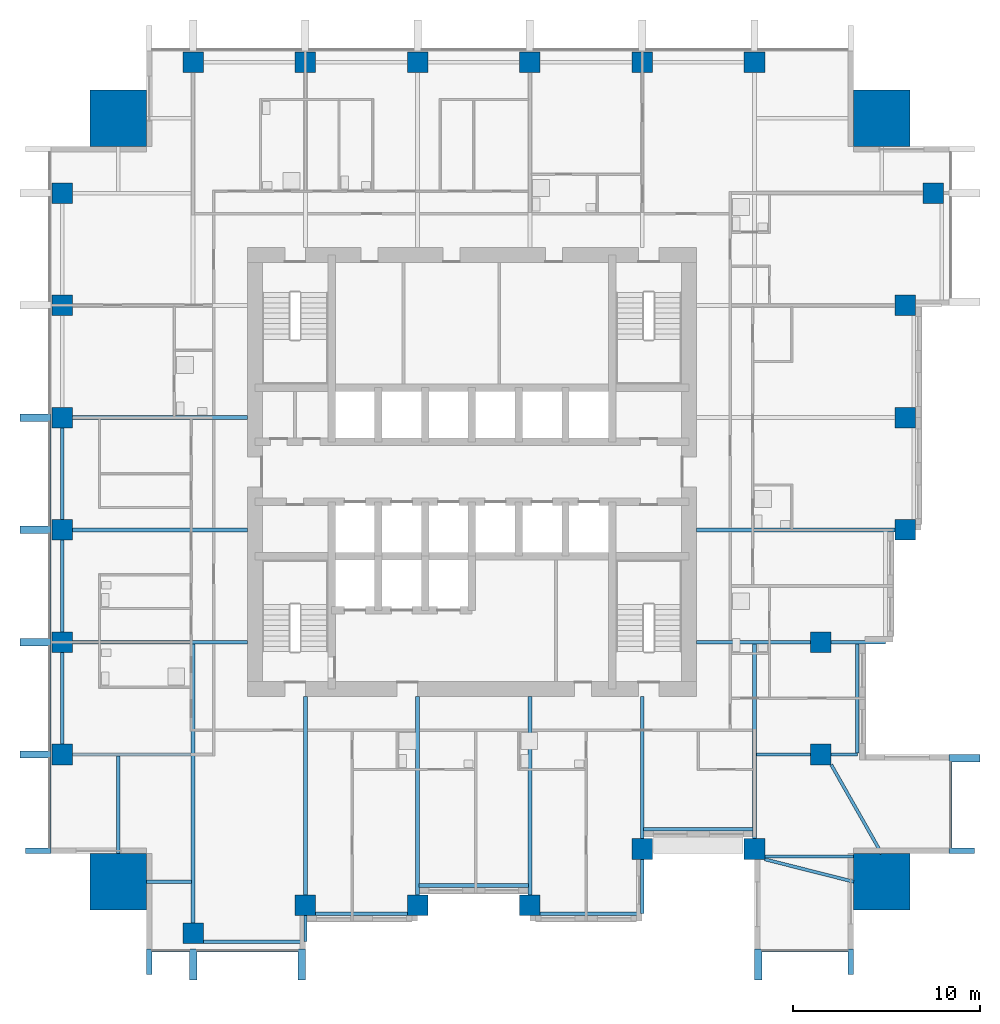
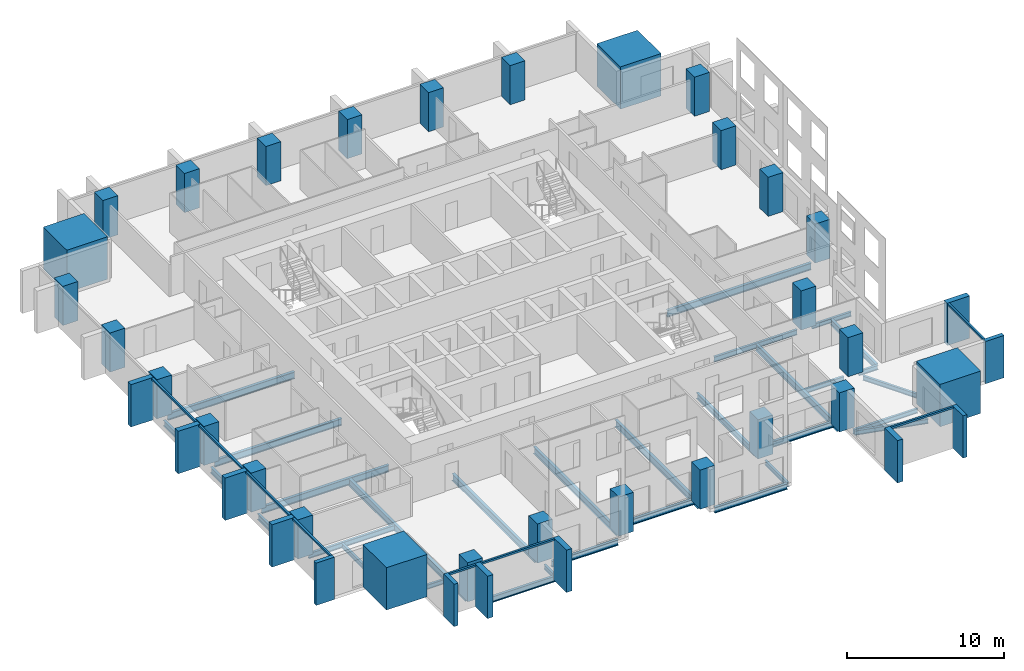
# One storey, part 1 of 11: 31 beams, 28 columns, 20 members, 4 elements without a shape of their own.
"""IFC4 building model written with IfcOpenShell, lengths in metres."""

from ifc_helpers import new_model, si_unit, direction, frame, origin, origin_2d, place, context, subcontext, project, spatial, rectangle, i_section, extrude, material, material_profile, profile_set, type_object, element, aggregate, save


model = new_model("IFC4")

# Units and contexts
model_context = context("Model", 3, precision=1e-05, world=origin(), true_north=direction((0.0, 1.0)))
body_context = subcontext(model_context, "Body", "Model", "MODEL_VIEW")
ifc_project = project(units=[si_unit("LENGTHUNIT", "METRE"), si_unit("AREAUNIT", "SQUARE_METRE"), si_unit("VOLUMEUNIT", "CUBIC_METRE"), si_unit("PLANEANGLEUNIT", "RADIAN"), si_unit("MASSUNIT", "GRAM", prefix="KILO")], contexts=[model_context])

# Site, building, storey
site_placement = place(None, origin())
site = spatial("IfcSite", under=ifc_project, at=site_placement, CompositionType="ELEMENT")
building_placement = place(site_placement, origin())
building = spatial("IfcBuilding", under=site, at=building_placement, Name="Amberfall Residences", CompositionType="ELEMENT")
storey_placement = place(building_placement, frame((0.0, 0.0, 115.0)))
storey = spatial("IfcBuildingStorey", under=building, at=storey_placement, Name="L31", CompositionType="ELEMENT", Elevation=115.0)

# Columns
ifc_material_1 = material(Name="Concrete C70", Category="concrete")
ifc_material_profile_1 = material_profile(ifc_material_1, rectangle(XDim=1.10009765625, YDim=1.10009765625, at=origin_2d()), Name="Column 1100 x 1100 C70")
ifc_profile_set_1 = profile_set([ifc_material_profile_1], Name="Concrete C70")
column_type_1 = type_object("IfcColumnType", Name="Column 1100 x 1100 C70", PredefinedType="COLUMN", material=ifc_profile_set_1)
for number, where, z_axis, x_axis, name in (
    (1, (59.60009765625, 20.85009765625, 0.0), (0.0, 0.0, 1.0), (1.0, 0.0, 0.0), "Column C2 L31 S1"),
    (2, (65.60009765625, 22.35009765625, 0.0), (0.0, 0.0, 1.0), (1.0, 0.0, 0.0), "Column C2 L31 S2"),
    (3, (71.60009765625, 22.35009765625, 0.0), (0.0, 0.0, 1.0), (1.0, 0.0, 0.0), "Column C2 L31 S3"),
    (4, (77.60009765625, 22.35009765625, 0.0), (0.0, 0.0, 1.0), (1.0, 0.0, 0.0), "Column C2 L31 S4"),
    (5, (83.60009765625, 25.35009765625, 0.0), (0.0, 0.0, 1.0), (1.0, 0.0, 0.0), "Column C2 L31 S5"),
    (6, (89.60009765625, 25.35009765625, 0.0), (0.0, 0.0, 1.0), (1.0, 0.0, 0.0), "Column C2 L31 S6"),
    (7, (93.14990234375, 30.39990234375, 0.0), (0.0, 0.0, 1.0), (1.0, 0.0, 0.0), "Column C2 L31 E1"),
    (8, (93.14990234375, 36.39990234375, 0.0), (0.0, 0.0, 1.0), (1.0, 0.0, 0.0), "Column C2 L31 E2"),
    (9, (97.64990234375, 42.39990234375, 0.0), (0.0, 0.0, 1.0), (1.0, 0.0, 0.0), "Column C2 L31 E3"),
    (10, (97.64990234375, 48.39990234375, 0.0), (0.0, 0.0, 1.0), (1.0, 0.0, 0.0), "Column C2 L31 E4"),
    (11, (97.64990234375, 54.39990234375, 0.0), (0.0, 0.0, 1.0), (1.0, 0.0, 0.0), "Column C2 L31 E5"),
    (12, (99.14990234375, 60.39990234375, 0.0), (0.0, 0.0, 1.0), (1.0, 0.0, 0.0), "Column C2 L31 E6"),
    (13, (59.60009765625, 67.39990234375, 0.0), (0.0, 0.0, 1.0), (1.0, 0.0, 0.0), "Column C2 L31 N1"),
    (14, (65.60009765625, 67.39990234375, 0.0), (0.0, 0.0, 1.0), (1.0, 0.0, 0.0), "Column C2 L31 N2"),
    (15, (71.60009765625, 67.39990234375, 0.0), (0.0, 0.0, 1.0), (1.0, 0.0, 0.0), "Column C2 L31 N3"),
    (16, (77.60009765625, 67.39990234375, 0.0), (0.0, 0.0, 1.0), (1.0, 0.0, 0.0), "Column C2 L31 N4"),
    (17, (83.60009765625, 67.39990234375, 0.0), (0.0, 0.0, 1.0), (1.0, 0.0, 0.0), "Column C2 L31 N5"),
    (18, (89.60009765625, 67.39990234375, 0.0), (0.0, 0.0, 1.0), (1.0, 0.0, 0.0), "Column C2 L31 N6"),
    (19, (52.60009765625, 30.39990234375, 0.0), (0.0, 0.0, 1.0), (1.0, 0.0, 0.0), "Column C2 L31 W1"),
    (20, (52.60009765625, 36.39990234375, 0.0), (0.0, 0.0, 1.0), (1.0, 0.0, 0.0), "Column C2 L31 W2"),
    (21, (52.60009765625, 42.39990234375, 0.0), (0.0, 0.0, 1.0), (1.0, 0.0, 0.0), "Column C2 L31 W3"),
    (22, (52.60009765625, 48.39990234375, 0.0), (0.0, 0.0, 1.0), (1.0, 0.0, 0.0), "Column C2 L31 W4"),
    (23, (52.60009765625, 54.39990234375, 0.0), (0.0, 0.0, 1.0), (1.0, 0.0, 0.0), "Column C2 L31 W5"),
    (24, (52.60009765625, 60.39990234375, 0.0), (0.0, 0.0, 1.0), (1.0, 0.0, 0.0), "Column C2 L31 W6"),
):
    element("IfcColumn", number, at=place(storey_placement, frame(where, z_axis=z_axis, x_axis=x_axis)), inside=storey, type_object=column_type_1, Name=name, PredefinedType="COLUMN", context=body_context, shape_type="SweptSolid", body=[
        extrude(rectangle(XDim=1.10009765625, YDim=1.10009765625, at=origin_2d()), origin(), (0.0, 0.0, 1.0), 3.050048828125),
    ])
ifc_material_profile_2 = material_profile(ifc_material_1, rectangle(XDim=3.0, YDim=3.0, at=origin_2d()), Name="Mega column 3000 x 3000 C70")
ifc_profile_set_2 = profile_set([ifc_material_profile_2], Name="Concrete C70")
column_type_2 = type_object("IfcColumnType", Name="Mega column 3000 x 3000 C70", PredefinedType="COLUMN", material=ifc_profile_set_2)
for number, where, z_axis, x_axis, name in (
    (25, (55.60009765625, 23.60009765625, 0.0), (0.0, 0.0, 1.0), (1.0, 0.0, 0.0), "Mega column MC2 L31 SW"),
    (26, (96.39990234375, 23.60009765625, 0.0), (0.0, 0.0, 1.0), (1.0, 0.0, 0.0), "Mega column MC2 L31 SE"),
    (27, (96.39990234375, 64.39990234375, 0.0), (0.0, 0.0, 1.0), (1.0, 0.0, 0.0), "Mega column MC2 L31 NE"),
    (28, (55.60009765625, 64.39990234375, 0.0), (0.0, 0.0, 1.0), (1.0, 0.0, 0.0), "Mega column MC2 L31 NW"),
):
    element("IfcColumn", number, at=place(storey_placement, frame(where, z_axis=z_axis, x_axis=x_axis)), inside=storey, type_object=column_type_2, Name=name, PredefinedType="COLUMN", context=body_context, shape_type="SweptSolid", body=[
        extrude(rectangle(XDim=3.0, YDim=3.0, at=origin_2d()), origin(), (0.0, 0.0, 1.0), 3.300048828125),
    ])

# Curtain wall, members
ifc_material_2 = material(Name="Bronze anodised aluminium and glass", Category="aluminium")
curtain_wall_type = type_object("IfcCurtainWallType", Name="Curtain wall CW1 tower unit", PredefinedType="USERDEFINED", material=ifc_material_2)
curtain_wall_1_placement = place(storey_placement, origin())
curtain_wall_1 = element("IfcCurtainWall", 29, at=curtain_wall_1_placement, inside=storey, type_object=curtain_wall_type, Name="Curtain wall L31 S S1", ObjectType="UNITISED CURTAIN WALL", PredefinedType="USERDEFINED")
ifc_material_3 = material(Name="Bronze anodised aluminium", Category="aluminium")
ifc_material_profile_3 = material_profile(ifc_material_3, rectangle(XDim=0.14990234375, YDim=0.14990234375, at=origin_2d()), Name="CW1 transom 150 x 150 bronze")
ifc_profile_set_3 = profile_set([ifc_material_profile_3], Name="Bronze anodised aluminium")
member_type_1 = type_object("IfcMemberType", Name="CW1 transom 150 x 150 bronze", PredefinedType="USERDEFINED", material=ifc_profile_set_3)
member_1_placement = place(storey_placement, frame((57.39990234375, 19.925048828125, 2.97509765625), z_axis=(1.0, 0.0, 0.0), x_axis=(0.0, 1.0, 0.0)))
member_1 = element("IfcMember", 30, at=member_1_placement, type_object=member_type_1, Name="CW1 transom 1.1", ObjectType="TRANSOM", PredefinedType="USERDEFINED", context=body_context, shape_type="SweptSolid", body=[
    extrude(rectangle(XDim=0.14990234375, YDim=0.14990234375, at=origin_2d()), origin(), (0.0, 0.0, 1.0), 2.0),
])
member_2_placement = place(storey_placement, frame((59.800048828125, 19.925048828125, 2.97509765625), z_axis=(1.0, 0.0, 0.0), x_axis=(0.0, 1.0, 0.0)))
member_2 = element("IfcMember", 31, at=member_2_placement, type_object=member_type_1, Name="CW1 transom 2.1", ObjectType="TRANSOM", PredefinedType="USERDEFINED", context=body_context, shape_type="SweptSolid", body=[
    extrude(rectangle(XDim=0.14990234375, YDim=0.14990234375, at=origin_2d()), origin(), (0.0, 0.0, 1.0), 5.39990234375),
])

# Curtain wall, member
curtain_wall_2_placement = place(storey_placement, origin())
curtain_wall_2 = element("IfcCurtainWall", 32, at=curtain_wall_2_placement, inside=storey, type_object=curtain_wall_type, Name="Curtain wall L31 S S11", ObjectType="UNITISED CURTAIN WALL", PredefinedType="USERDEFINED")
member_3_placement = place(storey_placement, frame((90.0, 19.925048828125, 2.97509765625), z_axis=(1.0, 0.0, 0.0), x_axis=(0.0, 1.0, 0.0)))
member_3 = element("IfcMember", 33, at=member_3_placement, type_object=member_type_1, Name="CW1 transom 1.1", ObjectType="TRANSOM", PredefinedType="USERDEFINED", context=body_context, shape_type="SweptSolid", body=[
    extrude(rectangle(XDim=0.14990234375, YDim=0.14990234375, at=origin_2d()), origin(), (0.0, 0.0, 1.0), 4.60009765625),
])

curtain_wall_3_placement = place(storey_placement, origin())
curtain_wall_3 = element("IfcCurtainWall", 34, at=curtain_wall_3_placement, inside=storey, type_object=curtain_wall_type, Name="Curtain wall L31 E E1", ObjectType="UNITISED CURTAIN WALL", PredefinedType="USERDEFINED")
member_4_placement = place(storey_placement, frame((100.074951171875, 25.39990234375, 2.97509765625), z_axis=(0.0, 1.0, 0.0), x_axis=(-1.0, 0.0, 0.0)))
member_4 = element("IfcMember", 35, at=member_4_placement, type_object=member_type_1, Name="CW1 transom 1.1", ObjectType="TRANSOM", PredefinedType="USERDEFINED", context=body_context, shape_type="SweptSolid", body=[
    extrude(rectangle(XDim=0.14990234375, YDim=0.14990234375, at=origin_2d()), origin(), (0.0, 0.0, 1.0), 4.60009765625),
])

# Curtain wall, members
curtain_wall_4_placement = place(storey_placement, origin())
curtain_wall_4 = element("IfcCurtainWall", 36, at=curtain_wall_4_placement, inside=storey, type_object=curtain_wall_type, Name="Curtain wall L31 W W1", ObjectType="UNITISED CURTAIN WALL", PredefinedType="USERDEFINED")
member_5_placement = place(storey_placement, frame((51.925048828125, 48.199951171875, 2.97509765625), z_axis=(0.0, -1.0, 0.0), x_axis=(1.0, 0.0, 0.0)))
member_5 = element("IfcMember", 37, at=member_5_placement, type_object=member_type_1, Name="CW1 transom 4.1", ObjectType="TRANSOM", PredefinedType="USERDEFINED", context=body_context, shape_type="SweptSolid", body=[
    extrude(rectangle(XDim=0.14990234375, YDim=0.14990234375, at=origin_2d()), origin(), (0.0, 0.0, 1.0), 5.599853515625),
])
member_6_placement = place(storey_placement, frame((51.925048828125, 42.199951171875, 2.97509765625), z_axis=(0.0, -1.0, 0.0), x_axis=(1.0, 0.0, 0.0)))
member_6 = element("IfcMember", 38, at=member_6_placement, type_object=member_type_1, Name="CW1 transom 5.1", ObjectType="TRANSOM", PredefinedType="USERDEFINED", context=body_context, shape_type="SweptSolid", body=[
    extrude(rectangle(XDim=0.14990234375, YDim=0.14990234375, at=origin_2d()), origin(), (0.0, 0.0, 1.0), 5.599853515625),
])
member_7_placement = place(storey_placement, frame((51.925048828125, 36.199951171875, 2.97509765625), z_axis=(0.0, -1.0, 0.0), x_axis=(1.0, 0.0, 0.0)))
member_7 = element("IfcMember", 39, at=member_7_placement, type_object=member_type_1, Name="CW1 transom 6.1", ObjectType="TRANSOM", PredefinedType="USERDEFINED", context=body_context, shape_type="SweptSolid", body=[
    extrude(rectangle(XDim=0.14990234375, YDim=0.14990234375, at=origin_2d()), origin(), (0.0, 0.0, 1.0), 5.599853515625),
])
member_8_placement = place(storey_placement, frame((51.925048828125, 30.199951171875, 2.97509765625), z_axis=(0.0, -1.0, 0.0), x_axis=(1.0, 0.0, 0.0)))
member_8 = element("IfcMember", 40, at=member_8_placement, type_object=member_type_1, Name="CW1 transom 7.1", ObjectType="TRANSOM", PredefinedType="USERDEFINED", context=body_context, shape_type="SweptSolid", body=[
    extrude(rectangle(XDim=0.14990234375, YDim=0.14990234375, at=origin_2d()), origin(), (0.0, 0.0, 1.0), 4.800048828125),
])

# Beams
ifc_material_4 = material(Name="Steel S355", Category="steel")
ifc_material_profile_4 = material_profile(ifc_material_4, i_section(OverallWidth=0.171142578125, OverallDepth=0.351318359375, WebThickness=0.007080078125, FlangeThickness=0.009765625, FilletRadius=0.01025390625, at=origin_2d()), Name="UB 356x171x45")
ifc_profile_set_4 = profile_set([ifc_material_profile_4], Name="Steel S355")
beam_type_1 = type_object("IfcBeamType", Name="Cantilever girder UB 356x171x45", PredefinedType="BEAM", material=ifc_profile_set_4)
beam_1_placement = place(storey_placement, frame((65.60009765625, 21.800048828125, -0.42578125), z_axis=(0.0, -1.0, 0.0), x_axis=(1.0, 0.0, 0.0)))
element("IfcBeam", 41, at=beam_1_placement, inside=storey, type_object=beam_type_1, Name="Cantilever girder B8 L31 06", PredefinedType="BEAM", context=body_context, shape_type="SweptSolid", body=[
    extrude(i_section(OverallWidth=0.171142578125, OverallDepth=0.351318359375, WebThickness=0.007080078125, FlangeThickness=0.009765625, FilletRadius=0.01025390625, at=origin_2d()), origin(), (0.0, 0.0, 1.0), 1.400146484375),
])
beam_2_placement = place(storey_placement, frame((83.60009765625, 24.800048828125, -0.42578125), z_axis=(0.0, -1.0, 0.0), x_axis=(1.0, 0.0, 0.0)))
element("IfcBeam", 42, at=beam_2_placement, inside=storey, type_object=beam_type_1, Name="Cantilever girder B8 L31 07", PredefinedType="BEAM", context=body_context, shape_type="SweptSolid", body=[
    extrude(i_section(OverallWidth=0.171142578125, OverallDepth=0.351318359375, WebThickness=0.007080078125, FlangeThickness=0.009765625, FilletRadius=0.01025390625, at=origin_2d()), origin(), (0.0, 0.0, 1.0), 2.900146484375),
])
beam_3_placement = place(storey_placement, frame((93.699951171875, 30.39990234375, -0.42578125), z_axis=(1.0, 0.0, 0.0), x_axis=(0.0, 1.0, 0.0)))
element("IfcBeam", 43, at=beam_3_placement, inside=storey, type_object=beam_type_1, Name="Cantilever girder B8 L31 19", PredefinedType="BEAM", context=body_context, shape_type="SweptSolid", body=[
    extrude(i_section(OverallWidth=0.171142578125, OverallDepth=0.351318359375, WebThickness=0.007080078125, FlangeThickness=0.009765625, FilletRadius=0.01025390625, at=origin_2d()), origin(), (0.0, 0.0, 1.0), 1.400146484375),
])
beam_4_placement = place(storey_placement, frame((93.699951171875, 36.39990234375, -0.42578125), z_axis=(1.0, 0.0, 0.0), x_axis=(0.0, 1.0, 0.0)))
element("IfcBeam", 44, at=beam_4_placement, inside=storey, type_object=beam_type_1, Name="Cantilever girder B8 L31 20", PredefinedType="BEAM", context=body_context, shape_type="SweptSolid", body=[
    extrude(i_section(OverallWidth=0.171142578125, OverallDepth=0.351318359375, WebThickness=0.007080078125, FlangeThickness=0.009765625, FilletRadius=0.01025390625, at=origin_2d()), origin(), (0.0, 0.0, 1.0), 2.900146484375),
])

# Member
ifc_material_profile_5 = material_profile(ifc_material_3, rectangle(XDim=1.35009765625, YDim=0.300048828125, at=origin_2d()), Name="Corner fin 300 x 1350 bronze")
ifc_profile_set_5 = profile_set([ifc_material_profile_5], Name="Bronze anodised aluminium")
member_type_2 = type_object("IfcMemberType", Name="Corner fin 300 x 1350 bronze", PredefinedType="MULLION", material=ifc_profile_set_5)
member_9_placement = place(storey_placement, frame((57.25, 19.324951171875, -0.25), z_axis=(0.0, 0.0, 1.0), x_axis=(0.0, 1.0, 0.0)))
member_9 = element("IfcMember", 45, at=member_9_placement, type_object=member_type_2, Name="CW FIN 1", PredefinedType="MULLION", context=body_context, shape_type="SweptSolid", body=[
    extrude(rectangle(XDim=1.35009765625, YDim=0.300048828125, at=origin_2d()), origin(), (0.0, 0.0, 1.0), 3.300048828125),
])

member_10_placement = place(storey_placement, frame((94.75, 19.324951171875, -0.25), z_axis=(0.0, 0.0, 1.0), x_axis=(0.0, 1.0, 0.0)))
member_10 = element("IfcMember", 46, at=member_10_placement, type_object=member_type_2, Name="CW FIN 2", PredefinedType="MULLION", context=body_context, shape_type="SweptSolid", body=[
    extrude(rectangle(XDim=1.35009765625, YDim=0.300048828125, at=origin_2d()), origin(), (0.0, 0.0, 1.0), 3.300048828125),
])

member_11_placement = place(storey_placement, frame((100.675048828125, 25.25, -0.25), z_axis=(0.0, 0.0, 1.0), x_axis=(-1.0, 0.0, 0.0)))
member_11 = element("IfcMember", 47, at=member_11_placement, type_object=member_type_2, Name="CW FIN 1", PredefinedType="MULLION", context=body_context, shape_type="SweptSolid", body=[
    extrude(rectangle(XDim=1.35009765625, YDim=0.300048828125, at=origin_2d()), origin(), (0.0, 0.0, 1.0), 3.300048828125),
])

member_12_placement = place(storey_placement, frame((51.324951171875, 25.25, -0.25), z_axis=(0.0, 0.0, 1.0), x_axis=(1.0, 0.0, 0.0)))
member_12 = element("IfcMember", 48, at=member_12_placement, type_object=member_type_2, Name="CW FIN 8", PredefinedType="MULLION", context=body_context, shape_type="SweptSolid", body=[
    extrude(rectangle(XDim=1.35009765625, YDim=0.300048828125, at=origin_2d()), origin(), (0.0, 0.0, 1.0), 3.300048828125),
])

# Beams
ifc_material_profile_6 = material_profile(ifc_material_4, i_section(OverallWidth=0.18994140625, OverallDepth=0.453369140625, WebThickness=0.008544921875, FlangeThickness=0.0126953125, FilletRadius=0.01025390625, at=origin_2d()), Name="UB 457x191x67")
ifc_profile_set_6 = profile_set([ifc_material_profile_6], Name="Steel S355")
beam_type_2 = type_object("IfcBeamType", Name="Edge beam UB 457x191x67", PredefinedType="SPANDREL", material=ifc_profile_set_6)
beam_5_placement = place(storey_placement, frame((60.14990234375, 20.39990234375, -0.476806640625), z_axis=(1.0, 0.0, 0.0), x_axis=(0.0, 1.0, 0.0)))
element("IfcBeam", 49, at=beam_5_placement, inside=storey, type_object=beam_type_2, Name="Edge beam B1 L31 01", PredefinedType="SPANDREL", context=body_context, shape_type="SweptSolid", body=[
    extrude(i_section(OverallWidth=0.18994140625, OverallDepth=0.453369140625, WebThickness=0.008544921875, FlangeThickness=0.0126953125, FilletRadius=0.01025390625, at=origin_2d()), origin(), (0.0, 0.0, 1.0), 5.3701171875),
])
beam_6_placement = place(storey_placement, frame((66.14990234375, 21.89990234375, -0.476806640625), z_axis=(1.0, 0.0, 0.0), x_axis=(0.0, 1.0, 0.0)))
element("IfcBeam", 50, at=beam_6_placement, inside=storey, type_object=beam_type_2, Name="Edge beam B1 L31 02", PredefinedType="SPANDREL", context=body_context, shape_type="SweptSolid", body=[
    extrude(i_section(OverallWidth=0.18994140625, OverallDepth=0.453369140625, WebThickness=0.008544921875, FlangeThickness=0.0126953125, FilletRadius=0.01025390625, at=origin_2d()), origin(), (0.0, 0.0, 1.0), 4.900146484375),
])
beam_7_placement = place(storey_placement, frame((71.679931640625, 23.39990234375, -0.476806640625), z_axis=(1.0, 0.0, 0.0), x_axis=(0.0, 1.0, 0.0)))
element("IfcBeam", 51, at=beam_7_placement, inside=storey, type_object=beam_type_2, Name="Edge beam B1 L31 03", PredefinedType="SPANDREL", context=body_context, shape_type="SweptSolid", body=[
    extrude(i_section(OverallWidth=0.18994140625, OverallDepth=0.453369140625, WebThickness=0.008544921875, FlangeThickness=0.0126953125, FilletRadius=0.01025390625, at=origin_2d()), origin(), (0.0, 0.0, 1.0), 5.840087890625),
])
beam_8_placement = place(storey_placement, frame((78.14990234375, 21.89990234375, -0.476806640625), z_axis=(1.0, 0.0, 0.0), x_axis=(0.0, 1.0, 0.0)))
element("IfcBeam", 52, at=beam_8_placement, inside=storey, type_object=beam_type_2, Name="Edge beam B1 L31 04", PredefinedType="SPANDREL", context=body_context, shape_type="SweptSolid", body=[
    extrude(i_section(OverallWidth=0.18994140625, OverallDepth=0.453369140625, WebThickness=0.008544921875, FlangeThickness=0.0126953125, FilletRadius=0.01025390625, at=origin_2d()), origin(), (0.0, 0.0, 1.0), 5.3701171875),
])
for number, where, z_axis, x_axis, name in (
    (53, (83.679931640625, 26.39990234375, -0.476806640625), (1.0, 0.0, 0.0), (0.0, 1.0, 0.0), "Edge beam B1 L31 05"),
    (54, (95.10009765625, 30.47998046875, -0.476806640625), (0.0, 1.0, 0.0), (-1.0, 0.0, 0.0), "Edge beam B1 L31 14"),
):
    element("IfcBeam", number, at=place(storey_placement, frame(where, z_axis=z_axis, x_axis=x_axis)), inside=storey, type_object=beam_type_2, Name=name, PredefinedType="SPANDREL", context=body_context, shape_type="SweptSolid", body=[
        extrude(i_section(OverallWidth=0.18994140625, OverallDepth=0.453369140625, WebThickness=0.008544921875, FlangeThickness=0.0126953125, FilletRadius=0.01025390625, at=origin_2d()), origin(), (0.0, 0.0, 1.0), 5.840087890625),
    ])
for number, where, z_axis, x_axis, name in (
    (55, (52.60009765625, 30.949951171875, -0.476806640625), (0.0, 1.0, 0.0), (-1.0, 0.0, 0.0), "Edge beam B1 L31 39"),
    (56, (52.60009765625, 36.949951171875, -0.476806640625), (0.0, 1.0, 0.0), (-1.0, 0.0, 0.0), "Edge beam B1 L31 40"),
    (57, (52.60009765625, 42.949951171875, -0.476806640625), (0.0, 1.0, 0.0), (-1.0, 0.0, 0.0), "Edge beam B1 L31 41"),
):
    element("IfcBeam", number, at=place(storey_placement, frame(where, z_axis=z_axis, x_axis=x_axis)), inside=storey, type_object=beam_type_2, Name=name, PredefinedType="SPANDREL", context=body_context, shape_type="SweptSolid", body=[
        extrude(i_section(OverallWidth=0.18994140625, OverallDepth=0.453369140625, WebThickness=0.008544921875, FlangeThickness=0.0126953125, FilletRadius=0.01025390625, at=origin_2d()), origin(), (0.0, 0.0, 1.0), 4.900146484375),
    ])

# Member
ifc_material_profile_7 = material_profile(ifc_material_3, rectangle(XDim=1.64990234375, YDim=0.39990234375, at=origin_2d()), Name="Fin 400 x 1650 bronze")
ifc_profile_set_7 = profile_set([ifc_material_profile_7], Name="Bronze anodised aluminium")
member_type_3 = type_object("IfcMemberType", Name="Fin 400 x 1650 bronze", PredefinedType="MULLION", material=ifc_profile_set_7)
member_13_placement = place(storey_placement, frame((59.60009765625, 19.175048828125, -0.25), z_axis=(0.0, 0.0, 1.0), x_axis=(0.0, 1.0, 0.0)))
member_13 = element("IfcMember", 58, at=member_13_placement, type_object=member_type_3, Name="CW FIN 2", PredefinedType="MULLION", context=body_context, shape_type="SweptSolid", body=[
    extrude(rectangle(XDim=1.64990234375, YDim=0.39990234375, at=origin_2d()), origin(), (0.0, 0.0, 1.0), 3.300048828125),
])

member_14_placement = place(storey_placement, frame((65.39990234375, 19.175048828125, -0.25), z_axis=(0.0, 0.0, 1.0), x_axis=(0.0, 1.0, 0.0)))
member_14 = element("IfcMember", 59, at=member_14_placement, type_object=member_type_3, Name="CW FIN 3", PredefinedType="MULLION", context=body_context, shape_type="SweptSolid", body=[
    extrude(rectangle(XDim=1.64990234375, YDim=0.39990234375, at=origin_2d()), origin(), (0.0, 0.0, 1.0), 3.300048828125),
])

aggregate(curtain_wall_1, [member_9, member_13, member_14, member_1, member_2])

member_15_placement = place(storey_placement, frame((89.800048828125, 19.175048828125, -0.25), z_axis=(0.0, 0.0, 1.0), x_axis=(0.0, 1.0, 0.0)))
member_15 = element("IfcMember", 60, at=member_15_placement, type_object=member_type_3, Name="CW FIN 1", PredefinedType="MULLION", context=body_context, shape_type="SweptSolid", body=[
    extrude(rectangle(XDim=1.64990234375, YDim=0.39990234375, at=origin_2d()), origin(), (0.0, 0.0, 1.0), 3.300048828125),
])

aggregate(curtain_wall_2, [member_15, member_10, member_3])

member_16_placement = place(storey_placement, frame((100.824951171875, 30.199951171875, -0.25), z_axis=(0.0, 0.0, 1.0), x_axis=(-1.0, 0.0, 0.0)))
member_16 = element("IfcMember", 61, at=member_16_placement, type_object=member_type_3, Name="CW FIN 2", PredefinedType="MULLION", context=body_context, shape_type="SweptSolid", body=[
    extrude(rectangle(XDim=1.64990234375, YDim=0.39990234375, at=origin_2d()), origin(), (0.0, 0.0, 1.0), 3.300048828125),
])

aggregate(curtain_wall_3, [member_11, member_16, member_4])

member_17_placement = place(storey_placement, frame((51.175048828125, 48.39990234375, -0.25), z_axis=(0.0, 0.0, 1.0), x_axis=(1.0, 0.0, 0.0)))
member_17 = element("IfcMember", 62, at=member_17_placement, type_object=member_type_3, Name="CW FIN 4", PredefinedType="MULLION", context=body_context, shape_type="SweptSolid", body=[
    extrude(rectangle(XDim=1.64990234375, YDim=0.39990234375, at=origin_2d()), origin(), (0.0, 0.0, 1.0), 3.300048828125),
])

member_18_placement = place(storey_placement, frame((51.175048828125, 42.39990234375, -0.25), z_axis=(0.0, 0.0, 1.0), x_axis=(1.0, 0.0, 0.0)))
member_18 = element("IfcMember", 63, at=member_18_placement, type_object=member_type_3, Name="CW FIN 5", PredefinedType="MULLION", context=body_context, shape_type="SweptSolid", body=[
    extrude(rectangle(XDim=1.64990234375, YDim=0.39990234375, at=origin_2d()), origin(), (0.0, 0.0, 1.0), 3.300048828125),
])

member_19_placement = place(storey_placement, frame((51.175048828125, 36.39990234375, -0.25), z_axis=(0.0, 0.0, 1.0), x_axis=(1.0, 0.0, 0.0)))
member_19 = element("IfcMember", 64, at=member_19_placement, type_object=member_type_3, Name="CW FIN 6", PredefinedType="MULLION", context=body_context, shape_type="SweptSolid", body=[
    extrude(rectangle(XDim=1.64990234375, YDim=0.39990234375, at=origin_2d()), origin(), (0.0, 0.0, 1.0), 3.300048828125),
])

member_20_placement = place(storey_placement, frame((51.175048828125, 30.39990234375, -0.25), z_axis=(0.0, 0.0, 1.0), x_axis=(1.0, 0.0, 0.0)))
member_20 = element("IfcMember", 65, at=member_20_placement, type_object=member_type_3, Name="CW FIN 7", PredefinedType="MULLION", context=body_context, shape_type="SweptSolid", body=[
    extrude(rectangle(XDim=1.64990234375, YDim=0.39990234375, at=origin_2d()), origin(), (0.0, 0.0, 1.0), 3.300048828125),
])

aggregate(curtain_wall_4, [member_17, member_18, member_19, member_20, member_12, member_5, member_6, member_7, member_8])

# Beams
ifc_material_profile_8 = material_profile(ifc_material_4, i_section(OverallWidth=0.171142578125, OverallDepth=0.351318359375, WebThickness=0.007080078125, FlangeThickness=0.009765625, FilletRadius=0.01025390625, at=origin_2d()), Name="UB 356x171x45")
ifc_profile_set_8 = profile_set([ifc_material_profile_8], Name="Steel S355")
beam_type_3 = type_object("IfcBeamType", Name="Floor girder UB 356x171x45", PredefinedType="BEAM", material=ifc_profile_set_8)
beam_9_placement = place(storey_placement, frame((92.60009765625, 30.39990234375, -0.42578125), z_axis=(-1.0, 0.0, 0.0), x_axis=(0.0, -1.0, 0.0)))
element("IfcBeam", 66, at=beam_9_placement, inside=storey, type_object=beam_type_3, Name="Floor girder B11 L31 22", PredefinedType="BEAM", context=body_context, shape_type="SweptSolid", body=[
    extrude(i_section(OverallWidth=0.171142578125, OverallDepth=0.351318359375, WebThickness=0.007080078125, FlangeThickness=0.009765625, FilletRadius=0.01025390625, at=origin_2d()), origin(), (0.0, 0.0, 1.0), 2.880126953125),
])
ifc_material_profile_9 = material_profile(ifc_material_4, i_section(OverallWidth=0.177734375, OverallDepth=0.402587890625, WebThickness=0.0078125, FlangeThickness=0.010986328125, FilletRadius=0.01025390625, at=origin_2d()), Name="UB 406x178x54")
ifc_profile_set_9 = profile_set([ifc_material_profile_9], Name="Steel S355")
beam_type_4 = type_object("IfcBeamType", Name="Floor girder UB 406x178x54", PredefinedType="BEAM", material=ifc_profile_set_9)
beam_10_placement = place(storey_placement, frame((92.60009765625, 36.39990234375, -0.451416015625), z_axis=(-1.0, 0.0, 0.0), x_axis=(0.0, -1.0, 0.0)))
element("IfcBeam", 67, at=beam_10_placement, inside=storey, type_object=beam_type_4, Name="Floor girder B4 L31 23", PredefinedType="BEAM", context=body_context, shape_type="SweptSolid", body=[
    extrude(i_section(OverallWidth=0.177734375, OverallDepth=0.402587890625, WebThickness=0.0078125, FlangeThickness=0.010986328125, FilletRadius=0.01025390625, at=origin_2d()), origin(), (0.0, 0.0, 1.0), 6.10009765625),
])
beam_11_placement = place(storey_placement, frame((53.14990234375, 30.39990234375, -0.451416015625), z_axis=(1.0, 0.0, 0.0), x_axis=(0.0, 1.0, 0.0)))
element("IfcBeam", 68, at=beam_11_placement, inside=storey, type_object=beam_type_4, Name="Floor girder B4 L31 44", PredefinedType="BEAM", context=body_context, shape_type="SweptSolid", body=[
    extrude(i_section(OverallWidth=0.177734375, OverallDepth=0.402587890625, WebThickness=0.0078125, FlangeThickness=0.010986328125, FilletRadius=0.01025390625, at=origin_2d()), origin(), (0.0, 0.0, 1.0), 6.330078125),
])
ifc_material_profile_10 = material_profile(ifc_material_4, i_section(OverallWidth=0.19140625, OverallDepth=0.4599609375, WebThickness=0.010009765625, FlangeThickness=0.01611328125, FilletRadius=0.01025390625, at=origin_2d()), Name="UB 457x191x82")
ifc_profile_set_10 = profile_set([ifc_material_profile_10], Name="Steel S355")
beam_type_5 = type_object("IfcBeamType", Name="Floor girder UB 457x191x82", PredefinedType="BEAM", material=ifc_profile_set_10)
beam_12_placement = place(storey_placement, frame((83.60009765625, 25.89990234375, -0.47998046875), z_axis=(0.0, 1.0, 0.0), x_axis=(-1.0, 0.0, 0.0)))
element("IfcBeam", 69, at=beam_12_placement, inside=storey, type_object=beam_type_5, Name="Floor girder B10 L31 12", PredefinedType="BEAM", context=body_context, shape_type="SweptSolid", body=[
    extrude(i_section(OverallWidth=0.19140625, OverallDepth=0.4599609375, WebThickness=0.010009765625, FlangeThickness=0.01611328125, FilletRadius=0.01025390625, at=origin_2d()), origin(), (0.0, 0.0, 1.0), 7.60009765625),
])
ifc_material_profile_11 = material_profile(ifc_material_4, i_section(OverallWidth=0.210693359375, OverallDepth=0.53955078125, WebThickness=0.01171875, FlangeThickness=0.018798828125, FilletRadius=0.0126953125, at=origin_2d()), Name="UB 533x210x109")
ifc_profile_set_11 = profile_set([ifc_material_profile_11], Name="Steel S355")
beam_type_6 = type_object("IfcBeamType", Name="Floor girder UB 533x210x109", PredefinedType="BEAM", material=ifc_profile_set_11)
beam_13_placement = place(storey_placement, frame((59.60009765625, 21.39990234375, -0.519775390625), z_axis=(0.0, 1.0, 0.0), x_axis=(-1.0, 0.0, 0.0)))
element("IfcBeam", 70, at=beam_13_placement, inside=storey, type_object=beam_type_6, Name="Floor girder B2 L31 08", PredefinedType="BEAM", context=body_context, shape_type="SweptSolid", body=[
    extrude(i_section(OverallWidth=0.210693359375, OverallDepth=0.53955078125, WebThickness=0.01171875, FlangeThickness=0.018798828125, FilletRadius=0.0126953125, at=origin_2d()), origin(), (0.0, 0.0, 1.0), 14.900390625),
])
ifc_material_profile_12 = material_profile(ifc_material_4, i_section(OverallWidth=0.209228515625, OverallDepth=0.533203125, WebThickness=0.010009765625, FlangeThickness=0.015625, FilletRadius=0.0126953125, at=origin_2d()), Name="UB 533x210x92")
ifc_profile_set_12 = profile_set([ifc_material_profile_12], Name="Steel S355")
beam_type_7 = type_object("IfcBeamType", Name="Floor girder UB 533x210x92", PredefinedType="BEAM", material=ifc_profile_set_12)
for number, where, z_axis, x_axis, name in (
    (71, (65.60009765625, 22.89990234375, -0.5166015625), (0.0, 1.0, 0.0), (-1.0, 0.0, 0.0), "Floor girder B3 L31 09"),
    (72, (71.60009765625, 22.89990234375, -0.5166015625), (0.0, 1.0, 0.0), (-1.0, 0.0, 0.0), "Floor girder B3 L31 10"),
    (73, (77.60009765625, 22.89990234375, -0.5166015625), (0.0, 1.0, 0.0), (-1.0, 0.0, 0.0), "Floor girder B3 L31 11"),
):
    element("IfcBeam", number, at=place(storey_placement, frame(where, z_axis=z_axis, x_axis=x_axis)), inside=storey, type_object=beam_type_7, Name=name, PredefinedType="BEAM", context=body_context, shape_type="SweptSolid", body=[
        extrude(i_section(OverallWidth=0.209228515625, OverallDepth=0.533203125, WebThickness=0.010009765625, FlangeThickness=0.015625, FilletRadius=0.0126953125, at=origin_2d()), origin(), (0.0, 0.0, 1.0), 10.60009765625),
    ])
beam_14_placement = place(storey_placement, frame((89.60009765625, 25.89990234375, -0.5166015625), z_axis=(0.0, 1.0, 0.0), x_axis=(-1.0, 0.0, 0.0)))
element("IfcBeam", 74, at=beam_14_placement, inside=storey, type_object=beam_type_7, Name="Floor girder B3 L31 13", PredefinedType="BEAM", context=body_context, shape_type="SweptSolid", body=[
    extrude(i_section(OverallWidth=0.209228515625, OverallDepth=0.533203125, WebThickness=0.010009765625, FlangeThickness=0.015625, FilletRadius=0.0126953125, at=origin_2d()), origin(), (0.0, 0.0, 1.0), 10.416259765625),
])
beam_15_placement = place(storey_placement, frame((97.10009765625, 42.39990234375, -0.5166015625), z_axis=(-1.0, 0.0, 0.0), x_axis=(0.0, -1.0, 0.0)))
element("IfcBeam", 75, at=beam_15_placement, inside=storey, type_object=beam_type_7, Name="Floor girder B3 L31 24", PredefinedType="BEAM", context=body_context, shape_type="SweptSolid", body=[
    extrude(i_section(OverallWidth=0.209228515625, OverallDepth=0.533203125, WebThickness=0.010009765625, FlangeThickness=0.015625, FilletRadius=0.0126953125, at=origin_2d()), origin(), (0.0, 0.0, 1.0), 10.60009765625),
])
for number, where, z_axis, x_axis, name in (
    (76, (53.14990234375, 36.39990234375, -0.5166015625), (1.0, 0.0, 0.0), (0.0, 1.0, 0.0), "Floor girder B3 L31 45"),
    (77, (53.14990234375, 42.39990234375, -0.5166015625), (1.0, 0.0, 0.0), (0.0, 1.0, 0.0), "Floor girder B3 L31 46"),
    (78, (53.14990234375, 48.39990234375, -0.5166015625), (1.0, 0.0, 0.0), (0.0, 1.0, 0.0), "Floor girder B3 L31 47"),
):
    element("IfcBeam", number, at=place(storey_placement, frame(where, z_axis=z_axis, x_axis=x_axis)), inside=storey, type_object=beam_type_7, Name=name, PredefinedType="BEAM", context=body_context, shape_type="SweptSolid", body=[
        extrude(i_section(OverallWidth=0.209228515625, OverallDepth=0.533203125, WebThickness=0.010009765625, FlangeThickness=0.015625, FilletRadius=0.0126953125, at=origin_2d()), origin(), (0.0, 0.0, 1.0), 9.35009765625),
    ])
ifc_material_profile_13 = material_profile(ifc_material_4, i_section(OverallWidth=0.171142578125, OverallDepth=0.351318359375, WebThickness=0.007080078125, FlangeThickness=0.009765625, FilletRadius=0.01025390625, at=origin_2d()), Name="UB 356x171x45")
ifc_profile_set_13 = profile_set([ifc_material_profile_13], Name="Steel S355")
beam_type_8 = type_object("IfcBeamType", Name="Link beam UB 356x171x45", PredefinedType="BEAM", material=ifc_profile_set_13)
beam_16_placement = place(storey_placement, frame((90.14990234375, 24.949951171875, -0.42578125), z_axis=(1.0, 0.0, 0.0), x_axis=(0.0, 1.0, 0.0)))
element("IfcBeam", 79, at=beam_16_placement, inside=storey, type_object=beam_type_8, Name="Link beam B7 L31 50", PredefinedType="BEAM", context=body_context, shape_type="SweptSolid", body=[
    extrude(i_section(OverallWidth=0.171142578125, OverallDepth=0.351318359375, WebThickness=0.007080078125, FlangeThickness=0.009765625, FilletRadius=0.01025390625, at=origin_2d()), origin(), (0.0, 0.0, 1.0), 4.75),
])
beam_17_placement = place(storey_placement, frame((57.10009765625, 23.60009765625, -0.42578125), z_axis=(1.0, 0.0, 0.0), x_axis=(0.0, 1.0, 0.0)))
element("IfcBeam", 80, at=beam_17_placement, inside=storey, type_object=beam_type_8, Name="Link beam B7 L31 51", PredefinedType="BEAM", context=body_context, shape_type="SweptSolid", body=[
    extrude(i_section(OverallWidth=0.171142578125, OverallDepth=0.351318359375, WebThickness=0.007080078125, FlangeThickness=0.009765625, FilletRadius=0.01025390625, at=origin_2d()), origin(), (0.0, 0.0, 1.0), 2.404541015625),
])
beam_18_placement = place(storey_placement, frame((55.60009765625, 25.10009765625, -0.42578125), z_axis=(0.0, 1.0, 0.0), x_axis=(-1.0, 0.0, 0.0)))
element("IfcBeam", 81, at=beam_18_placement, inside=storey, type_object=beam_type_8, Name="Link beam B7 L31 52", PredefinedType="BEAM", context=body_context, shape_type="SweptSolid", body=[
    extrude(i_section(OverallWidth=0.171142578125, OverallDepth=0.351318359375, WebThickness=0.007080078125, FlangeThickness=0.009765625, FilletRadius=0.01025390625, at=origin_2d()), origin(), (0.0, 0.0, 1.0), 5.22119140625),
])
beam_19_placement = place(storey_placement, frame((94.89990234375, 23.60009765625, -0.42578125), z_axis=(-0.969541561087, 0.244926848928, 0.0), x_axis=(-0.244926848928, -0.969541561087, 0.0)))
element("IfcBeam", 82, at=beam_19_placement, inside=storey, type_object=beam_type_8, Name="Link beam B7 L31 53", PredefinedType="BEAM", context=body_context, shape_type="SweptSolid", body=[
    extrude(i_section(OverallWidth=0.171142578125, OverallDepth=0.351318359375, WebThickness=0.007080078125, FlangeThickness=0.009765625, FilletRadius=0.01025390625, at=origin_2d()), origin(), (0.0, 0.0, 1.0), 4.899169921875),
])
beam_20_placement = place(storey_placement, frame((96.39990234375, 25.10009765625, -0.42578125), z_axis=(-0.494159870511, 0.869371049884, 0.0), x_axis=(-0.869371049884, -0.494159870511, 0.0)))
element("IfcBeam", 83, at=beam_20_placement, inside=storey, type_object=beam_type_8, Name="Link beam B7 L31 54", PredefinedType="BEAM", context=body_context, shape_type="SweptSolid", body=[
    extrude(i_section(OverallWidth=0.171142578125, OverallDepth=0.351318359375, WebThickness=0.007080078125, FlangeThickness=0.009765625, FilletRadius=0.01025390625, at=origin_2d()), origin(), (0.0, 0.0, 1.0), 5.463623046875),
])

save(model, "model.ifc")
